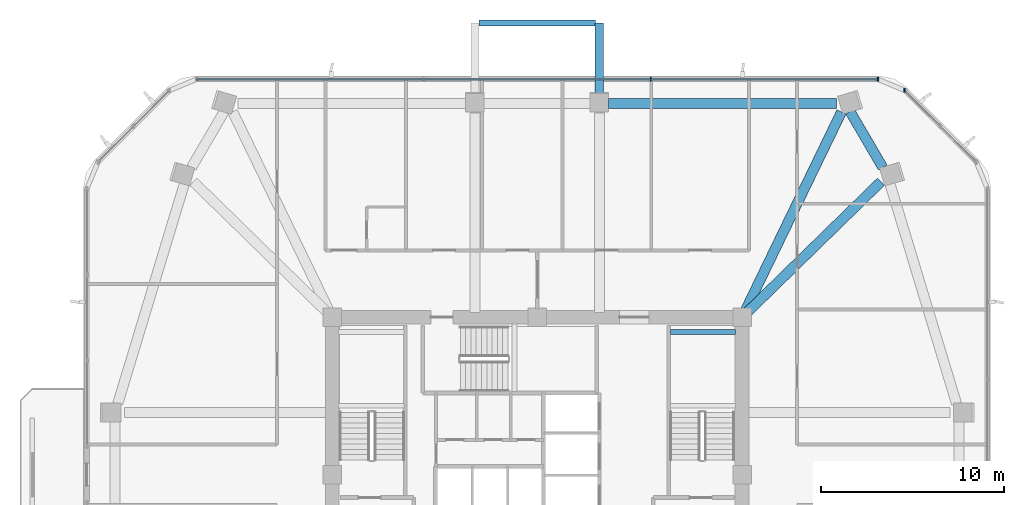
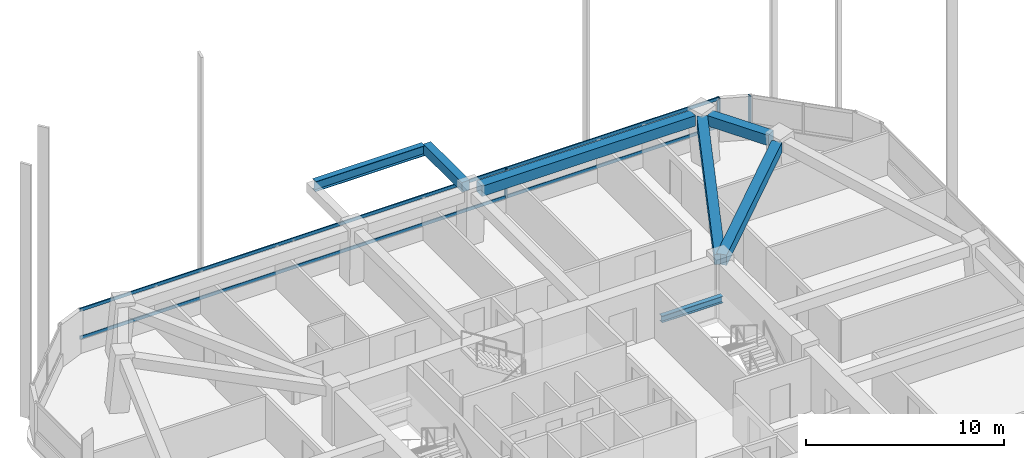
# One storey, part 5 of 15: 7 beams, 5 members, 2 elements without a shape of their own.
"""IFC4 building model written with IfcOpenShell, lengths in metres."""

from ifc_helpers import new_model, si_unit, derived_unit, direction, frame, origin, origin_2d, place, context, subcontext, project, spatial, rectangle, i_section, extrude, material, material_profile, profile_set, type_object, element, aggregate, save


model = new_model("IFC4")

# Units and contexts
model_context = context("Model", 3, precision=1e-05, world=origin(), true_north=direction((0.0, 1.0)))
body_context = subcontext(model_context, "Body", "Model", "MODEL_VIEW")
ifc_project = project(units=[si_unit("LENGTHUNIT", "METRE"), si_unit("AREAUNIT", "SQUARE_METRE"), si_unit("VOLUMEUNIT", "CUBIC_METRE"), si_unit("PLANEANGLEUNIT", "RADIAN"), si_unit("MASSUNIT", "GRAM", prefix="KILO"), derived_unit("THERMALTRANSMITTANCEUNIT", [(si_unit("POWERUNIT", "WATT"), 1), (si_unit("LENGTHUNIT", "METRE"), -2), (si_unit("THERMODYNAMICTEMPERATUREUNIT", "KELVIN"), -1)])], contexts=[model_context])

# Site, building, storey
site_placement = place(None, origin())
site = spatial("IfcSite", under=ifc_project, at=site_placement, CompositionType="ELEMENT")
building_placement = place(site_placement, origin())
building = spatial("IfcBuilding", under=site, at=building_placement, Name="Koralith Skygarden Medical Center", CompositionType="ELEMENT")
storey_placement = place(building_placement, frame((0.0, 0.0, 113.580078125)))
storey = spatial("IfcBuildingStorey", under=building, at=storey_placement, Name="L29", CompositionType="ELEMENT", Elevation=113.580078125)

# Curtain wall, member
ifc_material_1 = material(Name="Clear Laminated Glass", Category="glass")
curtain_wall_type = type_object("IfcCurtainWallType", Name="CW-3 Zone 2 Faceted Solar Curtain Wall", PredefinedType="NOTDEFINED", material=ifc_material_1)
curtain_wall_1_placement = place(storey_placement, origin())
curtain_wall_1 = element("IfcCurtainWall", 1, at=curtain_wall_1_placement, inside=storey, type_object=curtain_wall_type, Name="Curtain Wall CW-L29-NE", PredefinedType="NOTDEFINED")
ifc_material_2 = material(Name="Aluminium 6063-T6", Category="aluminium")
ifc_material_profile_1 = material_profile(ifc_material_2, rectangle(XDim=0.073974609375, YDim=0.219970703125, at=origin_2d()), Name="MUL74X220")
ifc_profile_set_1 = profile_set([ifc_material_profile_1], Name="Aluminium 6063-T6")
member_type_1 = type_object("IfcMemberType", Name="CW-3 Extruded Mullion 74x220", PredefinedType="MULLION", material=ifc_profile_set_1)
member_1_placement = place(storey_placement, frame((57.080078125, 46.89892578125, 0.849853515625), z_axis=(0.0, 0.0, 1.0), x_axis=(1.0, 0.0, 0.0)))
member_1 = element("IfcMember", 2, at=member_1_placement, type_object=member_type_1, Name="CW-L29-NE Mullion 3", PredefinedType="MULLION", context=body_context, shape_type="SweptSolid", body=[
    extrude(rectangle(XDim=0.073974609375, YDim=0.219970703125, at=origin_2d()), origin(), (0.0, 0.0, 1.0), 1.820068359375),
])
aggregate(curtain_wall_1, [member_1])

# Curtain wall, members
curtain_wall_2_placement = place(storey_placement, origin())
curtain_wall_2 = element("IfcCurtainWall", 3, at=curtain_wall_2_placement, inside=storey, type_object=curtain_wall_type, Name="Curtain Wall CW-L29-N", PredefinedType="NOTDEFINED")
member_2_placement = place(storey_placement, frame((55.62890625, 47.5009765625, 0.849853515625), z_axis=(0.0, 0.0, 1.0), x_axis=(1.0, 0.0, 0.0)))
member_2 = element("IfcMember", 4, at=member_2_placement, type_object=member_type_1, Name="CW-L29-N Mullion 1", PredefinedType="MULLION", context=body_context, shape_type="SweptSolid", body=[
    extrude(rectangle(XDim=0.073974609375, YDim=0.219970703125, at=origin_2d()), origin(), (0.0, 0.0, 1.0), 1.820068359375),
])
member_3_placement = place(storey_placement, frame((43.2099609375, 47.5009765625, 0.849853515625), z_axis=(0.0, 0.0, 1.0), x_axis=(1.0, 0.0, 0.0)))
member_3 = element("IfcMember", 5, at=member_3_placement, type_object=member_type_1, Name="CW-L29-N Mullion 2", PredefinedType="MULLION", context=body_context, shape_type="SweptSolid", body=[
    extrude(rectangle(XDim=0.073974609375, YDim=0.219970703125, at=origin_2d()), origin(), (0.0, 0.0, 1.0), 1.820068359375),
])
ifc_material_profile_2 = material_profile(ifc_material_2, rectangle(XDim=0.069091796875, YDim=0.197998046875, at=origin_2d()), Name="TRN69X198")
ifc_profile_set_2 = profile_set([ifc_material_profile_2], Name="Aluminium 6063-T6")
member_type_2 = type_object("IfcMemberType", Name="CW-3 Thermal Transom 69x198", PredefinedType="USERDEFINED", material=ifc_profile_set_2)
member_4_placement = place(storey_placement, frame((55.62890625, 47.5009765625, 0.89990234375), z_axis=(-1.0, 0.0, 0.0), x_axis=(0.0, -1.0, 0.0)))
member_4 = element("IfcMember", 6, at=member_4_placement, type_object=member_type_2, Name="CW-L29-N Transom 1", ObjectType="TRANSOM", PredefinedType="USERDEFINED", context=body_context, shape_type="SweptSolid", body=[
    extrude(rectangle(XDim=0.069091796875, YDim=0.197998046875, at=origin_2d()), origin(), (0.0, 0.0, 1.0), 37.2578125),
])
member_5_placement = place(storey_placement, frame((55.62890625, 47.5009765625, 2.619873046875), z_axis=(-1.0, 0.0, 0.0), x_axis=(0.0, -1.0, 0.0)))
member_5 = element("IfcMember", 7, at=member_5_placement, type_object=member_type_2, Name="CW-L29-N Transom 2", ObjectType="TRANSOM", PredefinedType="USERDEFINED", context=body_context, shape_type="SweptSolid", body=[
    extrude(rectangle(XDim=0.069091796875, YDim=0.197998046875, at=origin_2d()), origin(), (0.0, 0.0, 1.0), 37.2578125),
])
aggregate(curtain_wall_2, [member_2, member_3, member_4, member_5])

# Beams
ifc_material_3 = material(Name="Steel ASTM A992 Grade 50", Category="steel")
ifc_material_profile_3 = material_profile(ifc_material_3, i_section(OverallWidth=0.326904296875, OverallDepth=0.6220703125, WebThickness=0.015380859375, FlangeThickness=0.0244140625, at=origin_2d()), Name="W24X131")
ifc_profile_set_3 = profile_set([ifc_material_profile_3], Name="Steel ASTM A992 Grade 50")
beam_type_1 = type_object("IfcBeamType", Name="Cantilever Tie Beam W24X131", PredefinedType="BEAM", material=ifc_profile_set_3)
beam_1_placement = place(storey_placement, frame((33.820068359375, 50.58203125, 3.02880859375), z_axis=(1.0, 0.0, 0.0), x_axis=(0.0, 1.0, 0.0)))
element("IfcBeam", 8, at=beam_1_placement, inside=storey, type_object=beam_type_1, Name="L30 N Balcony Tip Tie Beam", PredefinedType="BEAM", context=body_context, shape_type="SweptSolid", body=[
    extrude(i_section(OverallWidth=0.326904296875, OverallDepth=0.6220703125, WebThickness=0.015380859375, FlangeThickness=0.0244140625, at=origin_2d()), origin(), (0.0, 0.0, 1.0), 6.35986328125),
])
ifc_material_profile_4 = material_profile(ifc_material_3, i_section(OverallWidth=0.260009765625, OverallDepth=0.4150390625, WebThickness=0.010009765625, FlangeThickness=0.016845703125, at=origin_2d()), Name="W16X67")
ifc_profile_set_4 = profile_set([ifc_material_profile_4], Name="Steel ASTM A992 Grade 50")
beam_type_2 = type_object("IfcBeamType", Name="Clinical Floor Joist W16X67", PredefinedType="JOIST", material=ifc_profile_set_4)
beam_2_placement = place(storey_placement, frame((44.280029296875, 33.699951171875, 1.391845703125), z_axis=(1.0, 0.0, 0.0), x_axis=(0.0, 1.0, 0.0)))
element("IfcBeam", 9, at=beam_2_placement, inside=storey, type_object=beam_type_2, Name="L29 Stair ST2 Half-Landing Support Beam 1B", PredefinedType="JOIST", context=body_context, shape_type="SweptSolid", body=[
    extrude(i_section(OverallWidth=0.260009765625, OverallDepth=0.4150390625, WebThickness=0.010009765625, FlangeThickness=0.016845703125, at=origin_2d()), origin(), (0.0, 0.0, 1.0), 3.56494140625),
])
ifc_material_4 = material(Name="Concrete C45/55", Category="concrete")
ifc_material_profile_5 = material_profile(ifc_material_4, rectangle(XDim=0.449951171875, YDim=0.60009765625, at=origin_2d()), Name="RCB450X600")
ifc_profile_set_5 = profile_set([ifc_material_profile_5], Name="Concrete C45/55")
beam_type_3 = type_object("IfcBeamType", Name="Planted Balcony Cantilever Beam RCB450X600", PredefinedType="BEAM", material=ifc_profile_set_5)
beam_3_placement = place(storey_placement, frame((40.39990234375, 46.662109375, 3.0400390625), z_axis=(0.0, 1.0, 0.0), x_axis=(-1.0, 0.0, 0.0)))
element("IfcBeam", 10, at=beam_3_placement, inside=storey, type_object=beam_type_3, Name="L30 N Balcony Cantilever Beam B", PredefinedType="BEAM", context=body_context, shape_type="SweptSolid", body=[
    extrude(rectangle(XDim=0.449951171875, YDim=0.60009765625, at=origin_2d()), origin(), (0.0, 0.0, 1.0), 3.919921875),
])
ifc_material_profile_6 = material_profile(ifc_material_4, rectangle(XDim=0.550048828125, YDim=0.639892578125, at=origin_2d()), Name="RCB550X640")
ifc_profile_set_6 = profile_set([ifc_material_profile_6], Name="Concrete C45/55")
beam_type_4 = type_object("IfcBeamType", Name="Radial Collector Beam RCB550X640", PredefinedType="BEAM", material=ifc_profile_set_6)
beam_4_placement = place(storey_placement, frame((48.37890625, 34.675048828125, 3.0), z_axis=(0.715561569325, 0.698549669319, 0.0), x_axis=(-0.698549669319, 0.715561569325, 0.0)))
element("IfcBeam", 11, at=beam_4_placement, inside=storey, type_object=beam_type_4, Name="L29 Radial Collector Beam RB-10", PredefinedType="BEAM", context=body_context, shape_type="SweptSolid", body=[
    extrude(rectangle(XDim=0.550048828125, YDim=0.639892578125, at=origin_2d()), origin(), (0.0, 0.0, 1.0), 10.34716796875),
])
beam_5_placement = place(storey_placement, frame((48.30908203125, 34.72509765625, 3.0), z_axis=(0.435690459594, 0.900096563386, 0.0), x_axis=(-0.900096563386, 0.435690459594, 0.0)))
element("IfcBeam", 12, at=beam_5_placement, inside=storey, type_object=beam_type_4, Name="L29 Radial Collector Beam RB-11", PredefinedType="BEAM", context=body_context, shape_type="SweptSolid", body=[
    extrude(rectangle(XDim=0.550048828125, YDim=0.639892578125, at=origin_2d()), origin(), (0.0, 0.0, 1.0), 12.21728515625),
])
ifc_material_profile_7 = material_profile(ifc_material_4, rectangle(XDim=0.550048828125, YDim=0.639892578125, at=origin_2d()), Name="RCB550X640")
ifc_profile_set_7 = profile_set([ifc_material_profile_7], Name="Concrete C45/55")
beam_type_5 = type_object("IfcBeamType", Name="Zone 2-3 Spandrel Beam RCB550X640", PredefinedType="SPANDREL", material=ifc_profile_set_7)
beam_6_placement = place(storey_placement, frame((55.888916015625, 42.68408203125, 3.0), z_axis=(-0.504766963518, 0.863255647268, 0.0), x_axis=(-0.863255647268, -0.504766963518, 0.0)))
element("IfcBeam", 13, at=beam_6_placement, inside=storey, type_object=beam_type_5, Name="L29 Perimeter Spandrel Beam SP-10", PredefinedType="SPANDREL", context=body_context, shape_type="SweptSolid", body=[
    extrude(rectangle(XDim=0.550048828125, YDim=0.639892578125, at=origin_2d()), origin(), (0.0, 0.0, 1.0), 3.5400390625),
])
beam_7_placement = place(storey_placement, frame((53.35009765625, 46.172119140625, 3.0), z_axis=(-1.0, 0.0, 0.0), x_axis=(0.0, -1.0, 0.0)))
element("IfcBeam", 14, at=beam_7_placement, inside=storey, type_object=beam_type_5, Name="L29 Perimeter Spandrel Beam SP-11", PredefinedType="SPANDREL", context=body_context, shape_type="SweptSolid", body=[
    extrude(rectangle(XDim=0.550048828125, YDim=0.639892578125, at=origin_2d()), origin(), (0.0, 0.0, 1.0), 12.4501953125),
])

save(model, "model.ifc")
